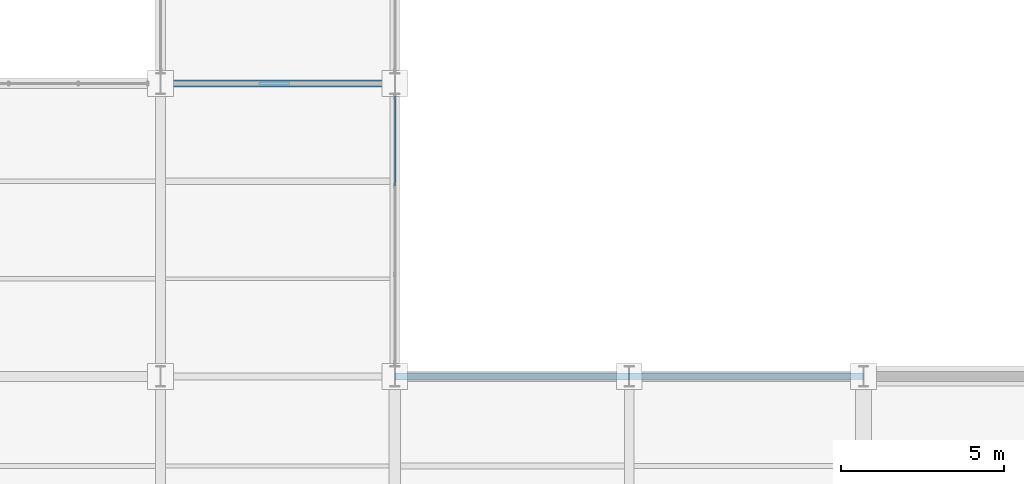
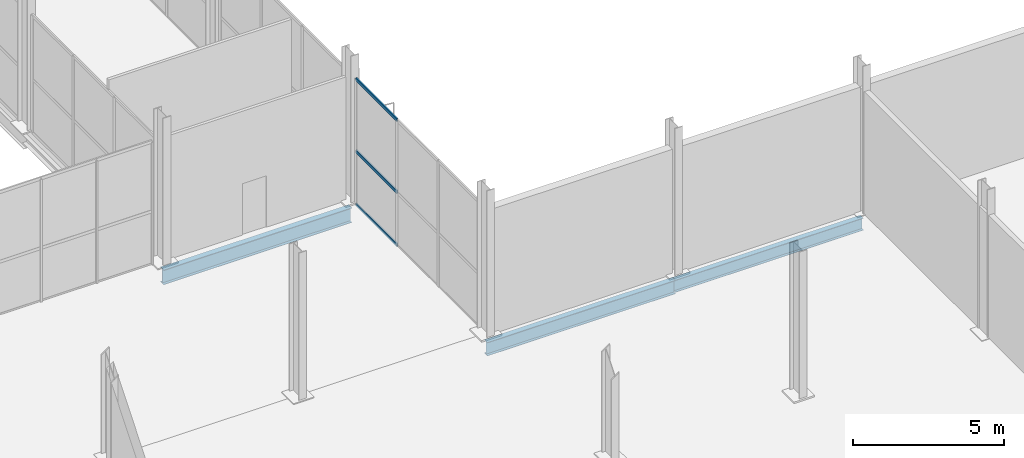
# One storey, part 91 of 144: 3 beams, 3 members, 1 element without a shape of its own.
"""IFC4 building model written with IfcOpenShell, lengths in metres."""

import ifcopenshell
import ifcopenshell.guid

model = None  # the IFC model being written
_history = None  # IfcOwnerHistory: only IFC2X3 demands one
_inside = {}  # id of a spatial element -> (the spatial element, [elements in it])
_under = {}  # id of a project, library or spatial element -> (it, [spatial elements below it])
_declared = {}  # id of a project -> (the project, [libraries it declares])
_typed = {}  # id of a type object -> (the type object, [elements of that type])
_made_of = {}  # id of a material, layer set ... -> (it, [elements and type objects made of it])


def new_model(schema):
    """Start an empty IFC model of exactly this schema.

    Asked for "IFC4X3", IfcOpenShell would pick the latest addendum, in which some entities
    have other attributes; the version numbers below select the first issue.
    IFC2X3 requires an IfcOwnerHistory on every rooted entity: one is made here for all.
    """
    global model, _history
    if schema == "IFC4X3":
        model = ifcopenshell.file(schema_version=(4, 3, 0, 0))
    else:
        model = ifcopenshell.file(schema=schema)
    _inside.clear()
    _under.clear()
    _declared.clear()
    _typed.clear()
    _made_of.clear()
    _history = None
    if model.schema == "IFC2X3":
        org = make("IfcOrganization", Name="unknown")
        user = make(
            "IfcPersonAndOrganization",
            ThePerson=make("IfcPerson", FamilyName="unknown"),
            TheOrganization=org,
        )
        app = make(
            "IfcApplication",
            ApplicationDeveloper=org,
            Version="unknown",
            ApplicationFullName="unknown",
            ApplicationIdentifier="unknown",
        )
        _history = make(
            "IfcOwnerHistory",
            OwningUser=user,
            OwningApplication=app,
            ChangeAction="ADDED",
            CreationDate=0,
        )
    return model


def make(cls, **values):
    """One entity of the class cls with the attributes given. An attribute that is None is left unset."""
    return model.create_entity(
        cls, **{name: value for name, value in values.items() if value is not None}
    )


def rooted(cls, **values):
    """An entity with a GlobalId (a new one), such as an element, a storey or a relation."""
    return make(cls, GlobalId=ifcopenshell.guid.new(), OwnerHistory=_history, **values)


def si_unit(unit_type, name, prefix=None):
    """IfcSIUnit, for example si_unit("LENGTHUNIT", "METRE", prefix="MILLI")."""
    return make("IfcSIUnit", UnitType=unit_type, Prefix=prefix, Name=name)


def assignment(units):
    """IfcUnitAssignment: the units of a project."""
    return None if units is None else make("IfcUnitAssignment", Units=units)


def point(xyz):
    """IfcCartesianPoint."""
    return None if xyz is None else make("IfcCartesianPoint", Coordinates=xyz)


def direction(xyz):
    """IfcDirection."""
    return None if xyz is None else make("IfcDirection", DirectionRatios=xyz)


def frame(location, z_axis=None, x_axis=None):
    """IfcAxis2Placement3D, a coordinate frame: its origin and axes. An axis left out is left unset."""
    return make(
        "IfcAxis2Placement3D",
        Location=point(location),
        Axis=direction(z_axis),
        RefDirection=direction(x_axis),
    )


def frame_2d(location, x_axis=None):
    """IfcAxis2Placement2D, a coordinate frame in the plane: its origin and x axis."""
    return make(
        "IfcAxis2Placement2D", Location=point(location), RefDirection=direction(x_axis)
    )


def origin():
    """The frame at (0, 0, 0) with its axes left unset."""
    return frame((0.0, 0.0, 0.0))


def origin_2d():
    """The frame at (0, 0) in the plane with its x axis left unset."""
    return frame_2d((0.0, 0.0))


def place(relative_to, where):
    """IfcLocalPlacement: puts the frame where relative to a parent placement (None: the world)."""
    return make(
        "IfcLocalPlacement", PlacementRelTo=relative_to, RelativePlacement=where
    )


def context(
    kind, dimensions, precision=None, world=None, true_north=None, identifier=None
):
    """IfcGeometricRepresentationContext, for example the 3D "Model" context."""
    return make(
        "IfcGeometricRepresentationContext",
        ContextIdentifier=identifier,
        ContextType=kind,
        CoordinateSpaceDimension=dimensions,
        Precision=precision,
        WorldCoordinateSystem=world,
        TrueNorth=true_north,
    )


def subcontext(parent, identifier, kind, view, scale=None):
    """IfcGeometricRepresentationSubContext, for example "Body" below "Model"."""
    return make(
        "IfcGeometricRepresentationSubContext",
        ContextIdentifier=identifier,
        ContextType=kind,
        ParentContext=parent,
        TargetScale=scale,
        TargetView=view,
    )


def project(units=None, contexts=None):
    """IfcProject with its units and contexts."""
    return rooted(
        "IfcProject",
        Name="project",
        RepresentationContexts=contexts,
        UnitsInContext=assignment(units),
    )


def spatial(cls, under=None, at=None, **own):
    """A site, building, storey or space (cls), placed at a placement, below another one or the project."""
    s = rooted(cls, ObjectPlacement=at, **own)
    if under is not None:
        _under.setdefault(under.id(), (under, []))[1].append(s)
    return s


def profile(cls, at=None, kind="AREA", **sizes):
    """A parametric profile (cls). Its sizes go by their IFC names, for example OverallWidth=200.0."""
    return make(cls, ProfileType=kind, Position=at, **sizes)


def hollow_rectangle(**sizes):
    """IfcRectangleHollowProfileDef."""
    return profile("IfcRectangleHollowProfileDef", **sizes)


def i_section(**sizes):
    """IfcIShapeProfileDef."""
    return profile("IfcIShapeProfileDef", **sizes)


def extrude(swept, where, along, depth):
    """IfcExtrudedAreaSolid: the profile swept, set in the frame where, extruded along a direction by depth."""
    return make(
        "IfcExtrudedAreaSolid",
        SweptArea=swept,
        Position=where,
        ExtrudedDirection=direction(along),
        Depth=depth,
    )


def shape(context_of_items, identifier, shape_type, items):
    """IfcShapeRepresentation: the items that make up one representation, for example the "Body"."""
    return make(
        "IfcShapeRepresentation",
        ContextOfItems=context_of_items,
        RepresentationIdentifier=identifier,
        RepresentationType=shape_type,
        Items=items,
    )


def material(Name=None, Category=None):
    """IfcMaterial."""
    return make("IfcMaterial", Name=Name, Category=Category)


def layer(
    of_material, thickness, ventilated=None, Name=None, Category=None, Priority=None
):
    """IfcMaterialLayer: one layer of a wall or slab, of a material (None: an air gap)."""
    return make(
        "IfcMaterialLayer",
        Material=of_material,
        LayerThickness=thickness,
        IsVentilated=ventilated,
        Name=Name,
        Category=Category,
        Priority=Priority,
    )


def layer_set(layers, Name=None):
    """IfcMaterialLayerSet."""
    return make("IfcMaterialLayerSet", MaterialLayers=layers, LayerSetName=Name)


def material_profile(
    of_material, cross_section, Name=None, Category=None, Priority=None
):
    """IfcMaterialProfile: a cross section and its material."""
    return make(
        "IfcMaterialProfile",
        Name=Name,
        Material=of_material,
        Profile=cross_section,
        Priority=Priority,
        Category=Category,
    )


def profile_set(profiles, Name=None, composite=None):
    """IfcMaterialProfileSet."""
    return make(
        "IfcMaterialProfileSet",
        Name=Name,
        MaterialProfiles=profiles,
        CompositeProfile=composite,
    )


def made_of(thing, what):
    """Note that an element or type object is made of a material, layer set ...; save() writes the relation."""
    if what is not None:
        _made_of.setdefault(what.id(), (what, []))[1].append(thing)
    return thing


def type_object(cls, material=None, **own):
    """A type object (cls), such as IfcWallType, which elements share."""
    return made_of(rooted(cls, **own), material)


def element(
    cls,
    number,
    at=None,
    inside=None,
    cuts=None,
    type_object=None,
    material=None,
    context=None,
    identifier="Body",
    shape_type=None,
    held_by="IfcProductDefinitionShape",
    body=None,
    shapes=None,
    **own,
):
    """One element of the class cls, such as IfcWall. Its Tag is "e" and its number.

    at: its placement. inside: the storey or other place that contains it. cuts: it is an
    opening in that element (IfcRelVoidsElement). A single representation is given by context,
    identifier, shape_type and body (its items); several are given by shapes. held_by: the class
    of the entity that holds the representations. save() writes the other relations.
    """
    e = rooted(cls, Tag="e%d" % number, ObjectPlacement=at, **own)
    if body is not None:
        shapes = [shape(context, identifier, shape_type, body)]
    if shapes is not None:
        e.Representation = make(held_by, Representations=shapes)
    if inside is not None:
        _inside.setdefault(inside.id(), (inside, []))[1].append(e)
    if cuts is not None:
        rooted(
            "IfcRelVoidsElement", RelatingBuildingElement=cuts, RelatedOpeningElement=e
        )
    if type_object is not None:
        _typed.setdefault(type_object.id(), (type_object, []))[1].append(e)
    return made_of(e, material)


def aggregate(whole, parts):
    """IfcRelAggregates: a whole, such as a stair, and the parts it consists of."""
    return rooted("IfcRelAggregates", RelatingObject=whole, RelatedObjects=parts)


def save(model, path):
    """Write the relations noted so far, then the file.

    IfcRelAggregates (storeys below a building ...), IfcRelContainedInSpatialStructure (elements
    in a storey), IfcRelDefinesByType, IfcRelAssociatesMaterial and IfcRelDeclares: one each for
    every whole, place, type object, material and project.
    """
    for whole, parts in _under.values():
        aggregate(whole, parts)
    for where, things in _inside.values():
        rooted(
            "IfcRelContainedInSpatialStructure",
            RelatedElements=things,
            RelatingStructure=where,
        )
    for kind, things in _typed.values():
        rooted("IfcRelDefinesByType", RelatedObjects=things, RelatingType=kind)
    for what, things in _made_of.values():
        rooted("IfcRelAssociatesMaterial", RelatedObjects=things, RelatingMaterial=what)
    for by, libraries in _declared.values():
        rooted("IfcRelDeclares", RelatingContext=by, RelatedDefinitions=libraries)
    model.write(path)


model = new_model("IFC4")

# Units and contexts
model_context = context("Model", 3, precision=1e-05, world=origin(), true_north=direction((0.0, 1.0)))
body_context = subcontext(model_context, "Body", "Model", "MODEL_VIEW")
ifc_project = project(units=[si_unit("LENGTHUNIT", "METRE"), si_unit("AREAUNIT", "SQUARE_METRE"), si_unit("VOLUMEUNIT", "CUBIC_METRE"), si_unit("PLANEANGLEUNIT", "RADIAN"), si_unit("MASSUNIT", "GRAM", prefix="KILO")], contexts=[model_context])

# Site, building, storey
site_placement = place(None, origin())
site = spatial("IfcSite", under=ifc_project, at=site_placement, CompositionType="ELEMENT")
building_placement = place(site_placement, origin())
building = spatial("IfcBuilding", under=site, at=building_placement, Name="Sundgate Opera House", CompositionType="ELEMENT")
storey_placement = place(building_placement, origin())
storey = spatial("IfcBuildingStorey", under=building, at=storey_placement, Name="L00", CompositionType="ELEMENT", Elevation=0.0)

# Beams
ifc_material_1 = material(Name="Steel S355J2", Category="steel")
ifc_material_profile_1 = material_profile(ifc_material_1, i_section(OverallWidth=0.199951171875, OverallDepth=0.5, WebThickness=0.01025390625, FlangeThickness=0.01611328125, at=origin_2d()), Name="IPE 500")
ifc_profile_set_1 = profile_set([ifc_material_profile_1], Name="Steel S355J2")
beam_type_1 = type_object("IfcBeamType", Name="BM-GR-IPE500", PredefinedType="BEAM", material=ifc_profile_set_1)
beam_1_placement = place(storey_placement, frame((153.0, 33.0, -0.570068359375), z_axis=(1.0, 0.0, 0.0), x_axis=(0.0, 1.0, 0.0)))
element("IfcBeam", 1, at=beam_1_placement, inside=storey, type_object=beam_type_1, Name="L00 Primary E-W Girder B0404", PredefinedType="BEAM", context=body_context, shape_type="SweptSolid", body=[
    extrude(i_section(OverallWidth=0.199951171875, OverallDepth=0.5, WebThickness=0.01025390625, FlangeThickness=0.01611328125, at=origin_2d()), origin(), (0.0, 0.0, 1.0), 7.199951171875),
])
ifc_material_2 = material(Name="Steel S355J2", Category="steel")
ifc_material_profile_2 = material_profile(ifc_material_2, i_section(OverallWidth=0.2099609375, OverallDepth=0.550048828125, WebThickness=0.010986328125, FlangeThickness=0.01708984375, at=origin_2d()), Name="IPE 550")
ifc_profile_set_2 = profile_set([ifc_material_profile_2], Name="Steel S355J2")
beam_type_2 = type_object("IfcBeamType", Name="BM-GR-IPE550", PredefinedType="BEAM", material=ifc_profile_set_2)
beam_2_placement = place(storey_placement, frame((145.800048828125, 33.0, -0.594970703125), z_axis=(1.0, 0.0, 0.0), x_axis=(0.0, 1.0, 0.0)))
element("IfcBeam", 2, at=beam_2_placement, inside=storey, type_object=beam_type_2, Name="L00 Primary E-W Girder B0403", PredefinedType="BEAM", context=body_context, shape_type="SweptSolid", body=[
    extrude(i_section(OverallWidth=0.2099609375, OverallDepth=0.550048828125, WebThickness=0.010986328125, FlangeThickness=0.01708984375, at=origin_2d()), origin(), (0.0, 0.0, 1.0), 7.199951171875),
])
ifc_material_3 = material(Name="Steel S355J2", Category="steel")
ifc_material_profile_3 = material_profile(ifc_material_3, i_section(OverallWidth=0.219970703125, OverallDepth=0.60009765625, WebThickness=0.011962890625, FlangeThickness=0.01904296875, at=origin_2d()), Name="IPE 600")
ifc_profile_set_3 = profile_set([ifc_material_profile_3], Name="Steel S355J2")
beam_type_3 = type_object("IfcBeamType", Name="BM-GR-IPE600", PredefinedType="BEAM", material=ifc_profile_set_3)
beam_3_placement = place(storey_placement, frame((138.60009765625, 42.0, -0.6201171875), z_axis=(1.0, 0.0, 0.0), x_axis=(0.0, 1.0, 0.0)))
element("IfcBeam", 3, at=beam_3_placement, inside=storey, type_object=beam_type_3, Name="L00 Primary E-W Girder B0424", PredefinedType="BEAM", context=body_context, shape_type="SweptSolid", body=[
    extrude(i_section(OverallWidth=0.219970703125, OverallDepth=0.60009765625, WebThickness=0.011962890625, FlangeThickness=0.01904296875, at=origin_2d()), origin(), (0.0, 0.0, 1.0), 7.199951171875),
])

# Curtain wall, members
ifc_material_4 = material(Name="Anodized aluminium and low-iron glass", Category="aluminium")
ifc_layer = layer(ifc_material_4, 0.159912109375)
ifc_layer_set = layer_set([ifc_layer], Name="Anodized aluminium and low-iron glass")
curtain_wall_type = type_object("IfcCurtainWallType", Name="CW-STUDIO-DARK", PredefinedType="NOTDEFINED", material=ifc_layer_set)
curtain_wall_placement = place(storey_placement, origin())
curtain_wall = element("IfcCurtainWall", 4, at=curtain_wall_placement, inside=storey, type_object=curtain_wall_type, Name="L00 Curtain Wall CW027", PredefinedType="NOTDEFINED")
ifc_material_5 = material(Name="Anodized aluminium EN AW-6063", Category="aluminium")
ifc_material_profile_4 = material_profile(ifc_material_5, hollow_rectangle(XDim=0.054931640625, YDim=0.1201171875, WallThickness=0.00390625, at=origin_2d()), Name="CWT 120x55x4")
ifc_profile_set_4 = profile_set([ifc_material_profile_4], Name="Anodized aluminium EN AW-6063")
member_type = type_object("IfcMemberType", Name="CWT-ALU-120x55", PredefinedType="USERDEFINED", material=ifc_profile_set_4)
member_1_placement = place(storey_placement, frame((145.800048828125, 38.86669921875, 0.0), z_axis=(0.0, 1.0, 0.0), x_axis=(-1.0, 0.0, 0.0)))
member_1 = element("IfcMember", 5, at=member_1_placement, type_object=member_type, Name="CW027 Transom 7", ObjectType="TRANSOM", PredefinedType="USERDEFINED", context=body_context, shape_type="SweptSolid", body=[
    extrude(hollow_rectangle(XDim=0.054931640625, YDim=0.1201171875, WallThickness=0.00390625, at=origin_2d()), origin(), (0.0, 0.0, 1.0), 2.7333984375),
])
member_2_placement = place(storey_placement, frame((145.800048828125, 38.86669921875, 2.14990234375), z_axis=(0.0, 1.0, 0.0), x_axis=(-1.0, 0.0, 0.0)))
member_2 = element("IfcMember", 6, at=member_2_placement, type_object=member_type, Name="CW027 Transom 8", ObjectType="TRANSOM", PredefinedType="USERDEFINED", context=body_context, shape_type="SweptSolid", body=[
    extrude(hollow_rectangle(XDim=0.054931640625, YDim=0.1201171875, WallThickness=0.00390625, at=origin_2d()), origin(), (0.0, 0.0, 1.0), 2.7333984375),
])
member_3_placement = place(storey_placement, frame((145.800048828125, 38.86669921875, 5.06494140625), z_axis=(0.0, 1.0, 0.0), x_axis=(-1.0, 0.0, 0.0)))
member_3 = element("IfcMember", 7, at=member_3_placement, type_object=member_type, Name="CW027 Transom 9", ObjectType="TRANSOM", PredefinedType="USERDEFINED", context=body_context, shape_type="SweptSolid", body=[
    extrude(hollow_rectangle(XDim=0.054931640625, YDim=0.1201171875, WallThickness=0.00390625, at=origin_2d()), origin(), (0.0, 0.0, 1.0), 2.7333984375),
])
aggregate(curtain_wall, [member_1, member_2, member_3])

save(model, "model.ifc")
